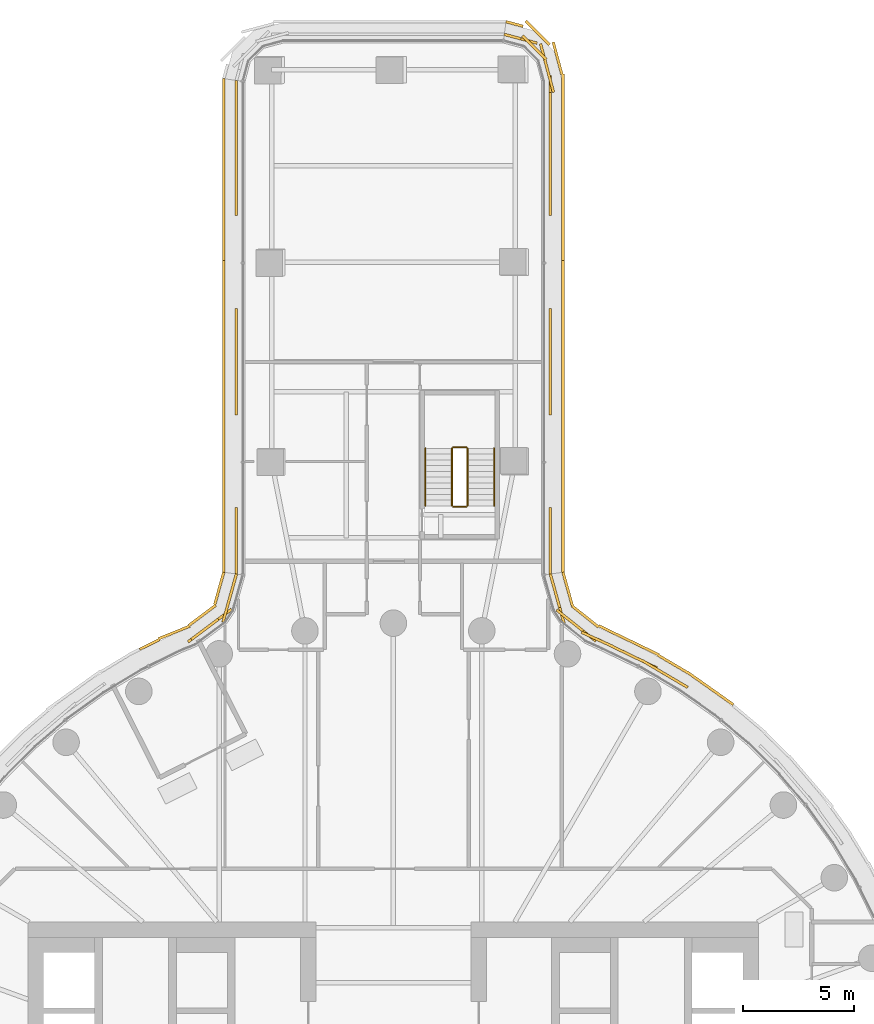
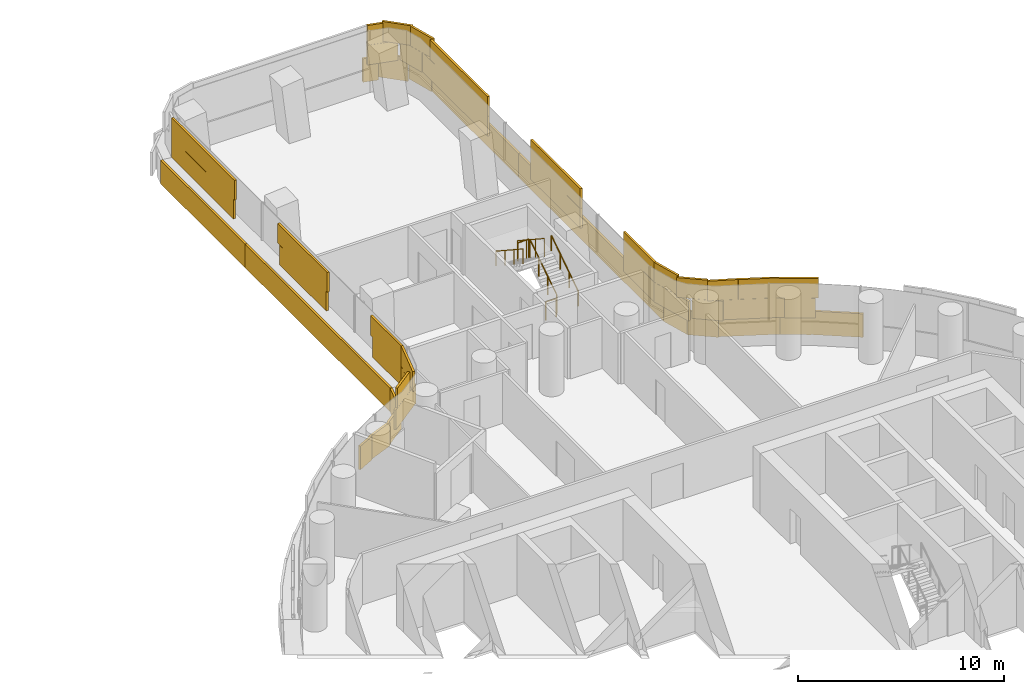
# One storey, part 30 of 32: 6 coverings, 6 railings.
"""IFC4 building model written with IfcOpenShell, lengths in metres."""

from ifc_helpers import new_model, si_unit, direction, frame, origin, origin_2d, place, context, subcontext, project, spatial, rectangle, circle, extrude, material, layer, layer_set, type_object, element, save


model = new_model("IFC4")

# Units and contexts
model_context = context("Model", 3, precision=1e-05, world=origin(), true_north=direction((0.0, 1.0)))
body_context = subcontext(model_context, "Body", "Model", "MODEL_VIEW")
ifc_project = project(units=[si_unit("LENGTHUNIT", "METRE"), si_unit("AREAUNIT", "SQUARE_METRE"), si_unit("VOLUMEUNIT", "CUBIC_METRE"), si_unit("PLANEANGLEUNIT", "RADIAN"), si_unit("MASSUNIT", "GRAM", prefix="KILO")], contexts=[model_context])

# Site, building, storey
site_placement = place(None, origin())
site = spatial("IfcSite", under=ifc_project, at=site_placement, CompositionType="ELEMENT")
building_placement = place(site_placement, origin())
building = spatial("IfcBuilding", under=site, at=building_placement, Name="Tamarind Cross Interchange Tower", CompositionType="ELEMENT")
storey_placement = place(building_placement, frame((0.0, 0.0, 34.0)))
storey = spatial("IfcBuildingStorey", under=building, at=storey_placement, Name="L06", CompositionType="ELEMENT", Elevation=34.0)

# Railings
ifc_material_1 = material(Name="Stair guard")
railing_type_1 = type_object("IfcRailingType", Name="Stair guard", PredefinedType="GUARDRAIL", material=ifc_material_1)
railing_1_placement = place(storey_placement, frame((3.35009765625, 28.300048828125, 0.17041015625)))
element("IfcRailing", 1, at=railing_1_placement, inside=storey, type_object=railing_type_1, Name="L06 ST4 stair guard 1", PredefinedType="GUARDRAIL", context=body_context, shape_type="SweptSolid", body=[
    extrude(circle(Radius=0.02392578125, at=origin_2d()), frame((0.0, 0.0, 1.076171875), z_axis=(0.0, 0.836278606002, 0.548304744775), x_axis=(-1.0, 0.0, 0.0)), (0.0, 0.0, 1.0), 3.10888671875),
    extrude(circle(Radius=0.02099609375, at=origin_2d()), origin(), (0.0, 0.0, 1.0), 1.052001953125),
    extrude(circle(Radius=0.02099609375, at=origin_2d()), frame((0.0, 0.86669921875, 0.568115234375)), (0.0, 0.0, 1.0), 1.052001953125),
    extrude(circle(Radius=0.02099609375, at=origin_2d()), frame((0.0, 1.733154296875, 1.136474609375)), (0.0, 0.0, 1.0), 1.052001953125),
    extrude(circle(Radius=0.02099609375, at=origin_2d()), frame((0.0, 2.599853515625, 1.70458984375)), (0.0, 0.0, 1.0), 1.052001953125),
])
railing_2_placement = place(storey_placement, frame((3.300048828125, 30.949951171875, 1.875)))
element("IfcRailing", 2, at=railing_2_placement, inside=storey, type_object=railing_type_1, Name="L06 ST4 stair guard 2", PredefinedType="GUARDRAIL", context=body_context, shape_type="SweptSolid", body=[
    extrude(circle(Radius=0.02392578125, at=origin_2d()), frame((0.0, 0.0, 1.076171875), z_axis=(-1.0, 0.0, 0.0), x_axis=(0.0, -1.0, 0.0)), (0.0, 0.0, 1.0), 0.60009765625),
    extrude(circle(Radius=0.02099609375, at=origin_2d()), origin(), (0.0, 0.0, 1.0), 1.052001953125),
    extrude(circle(Radius=0.02099609375, at=origin_2d()), frame((-0.60009765625, 0.0, 0.0)), (0.0, 0.0, 1.0), 1.052001953125),
])
railing_3_placement = place(storey_placement, frame((2.64990234375, 30.89990234375, 2.04541015625)))
element("IfcRailing", 3, at=railing_3_placement, inside=storey, type_object=railing_type_1, Name="L06 ST4 stair guard 3", PredefinedType="GUARDRAIL", context=body_context, shape_type="SweptSolid", body=[
    extrude(circle(Radius=0.02392578125, at=origin_2d()), frame((0.0, 0.0, 1.076171875), z_axis=(0.0, -0.836278606002, 0.548304744775), x_axis=(1.0, 0.0, 0.0)), (0.0, 0.0, 1.0), 3.10888671875),
    extrude(circle(Radius=0.02099609375, at=origin_2d()), origin(), (0.0, 0.0, 1.0), 1.052001953125),
    extrude(circle(Radius=0.02099609375, at=origin_2d()), frame((0.0, -0.86669921875, 0.568115234375)), (0.0, 0.0, 1.0), 1.052001953125),
    extrude(circle(Radius=0.02099609375, at=origin_2d()), frame((0.0, -1.733154296875, 1.136474609375)), (0.0, 0.0, 1.0), 1.052001953125),
    extrude(circle(Radius=0.02099609375, at=origin_2d()), frame((0.0, -2.599853515625, 1.70458984375)), (0.0, 0.0, 1.0), 1.052001953125),
])
railing_4_placement = place(storey_placement, frame((3.300048828125, 28.25, 0.0)))
element("IfcRailing", 4, at=railing_4_placement, inside=storey, type_object=railing_type_1, Name="L06 ST4 stair guard 4", PredefinedType="GUARDRAIL", context=body_context, shape_type="SweptSolid", body=[
    extrude(circle(Radius=0.02392578125, at=origin_2d()), frame((0.0, 0.0, 1.076171875), z_axis=(-1.0, 0.0, 0.0), x_axis=(0.0, -1.0, 0.0)), (0.0, 0.0, 1.0), 0.60009765625),
    extrude(circle(Radius=0.02099609375, at=origin_2d()), origin(), (0.0, 0.0, 1.0), 1.052001953125),
    extrude(circle(Radius=0.02099609375, at=origin_2d()), frame((-0.60009765625, 0.0, 0.0)), (0.0, 0.0, 1.0), 1.052001953125),
])
ifc_material_2 = material(Name="Stair handrail")
railing_type_2 = type_object("IfcRailingType", Name="Stair handrail", PredefinedType="HANDRAIL", material=ifc_material_2)
railing_5_placement = place(storey_placement, frame((4.550048828125, 28.300048828125, 0.17041015625)))
element("IfcRailing", 5, at=railing_5_placement, inside=storey, type_object=railing_type_2, Name="L06 ST4 stair handrail 1", PredefinedType="HANDRAIL", context=body_context, shape_type="SweptSolid", body=[
    extrude(circle(Radius=0.02392578125, at=origin_2d()), frame((0.0, 0.0, 0.8759765625), z_axis=(0.0, 0.836278606002, 0.548304744775), x_axis=(-1.0, 0.0, 0.0)), (0.0, 0.0, 1.0), 3.10888671875),
    extrude(circle(Radius=0.02099609375, at=origin_2d()), origin(), (0.0, 0.0, 1.0), 0.851806640625),
    extrude(circle(Radius=0.02099609375, at=origin_2d()), frame((0.0, 0.86669921875, 0.568115234375)), (0.0, 0.0, 1.0), 0.851806640625),
    extrude(circle(Radius=0.02099609375, at=origin_2d()), frame((0.0, 1.733154296875, 1.136474609375)), (0.0, 0.0, 1.0), 0.851806640625),
    extrude(circle(Radius=0.02099609375, at=origin_2d()), frame((0.0, 2.599853515625, 1.70458984375)), (0.0, 0.0, 1.0), 0.851806640625),
])
railing_6_placement = place(storey_placement, frame((1.449951171875, 30.89990234375, 2.04541015625)))
element("IfcRailing", 6, at=railing_6_placement, inside=storey, type_object=railing_type_2, Name="L06 ST4 stair handrail 2", PredefinedType="HANDRAIL", context=body_context, shape_type="SweptSolid", body=[
    extrude(circle(Radius=0.02392578125, at=origin_2d()), frame((0.0, 0.0, 0.8759765625), z_axis=(0.0, -0.836278606002, 0.548304744775), x_axis=(1.0, 0.0, 0.0)), (0.0, 0.0, 1.0), 3.10888671875),
    extrude(circle(Radius=0.02099609375, at=origin_2d()), origin(), (0.0, 0.0, 1.0), 0.851806640625),
    extrude(circle(Radius=0.02099609375, at=origin_2d()), frame((0.0, -0.86669921875, 0.568115234375)), (0.0, 0.0, 1.0), 0.851806640625),
    extrude(circle(Radius=0.02099609375, at=origin_2d()), frame((0.0, -1.733154296875, 1.136474609375)), (0.0, 0.0, 1.0), 0.851806640625),
    extrude(circle(Radius=0.02099609375, at=origin_2d()), frame((0.0, -2.599853515625, 1.70458984375)), (0.0, 0.0, 1.0), 0.851806640625),
])

# Coverings
ifc_material_3 = material(Name="Terracotta", Category="masonry")
ifc_layer = layer(ifc_material_3, 0.1201171875)
ifc_layer_set = layer_set([ifc_layer], Name="Terracotta")
covering_type = type_object("IfcCoveringType", Name="Terracotta baguette screen unit", PredefinedType="MOLDING", material=ifc_layer_set)
covering_1_placement = place(storey_placement, origin())
element("IfcCovering", 7, at=covering_1_placement, inside=storey, type_object=covering_type, Name="SCR-L06-11-01", PredefinedType="MOLDING", context=body_context, shape_type="SweptSolid", body=[
    extrude(rectangle(XDim=1.52001953125, YDim=0.1201171875, at=origin_2d()), frame((12.519775390625, 20.55517578125, 1.404052734375), z_axis=(0.0, 0.0, 1.0), x_axis=(-0.861248933065, 0.508183308752, 0.0)), (0.0, 0.0, 1.0), 1.1669921875),
    extrude(rectangle(XDim=1.52001953125, YDim=0.1201171875, at=origin_2d()), frame((11.221435546875, 21.30517578125, 1.404052734375), z_axis=(0.0, 0.0, 1.0), x_axis=(-0.900272776334, 0.435326231914, 0.0)), (0.0, 0.0, 1.0), 1.1669921875),
    extrude(rectangle(XDim=1.52001953125, YDim=0.1201171875, at=origin_2d()), frame((9.87109375, 21.958251953125, 1.404052734375), z_axis=(0.0, 0.0, 1.0), x_axis=(-0.900272776334, 0.435326231914, 0.0)), (0.0, 0.0, 1.0), 1.1669921875),
    extrude(rectangle(XDim=1.52001953125, YDim=0.1201171875, at=origin_2d()), frame((8.5546875, 22.660888671875, 1.404052734375), z_axis=(0.0, 0.0, 1.0), x_axis=(-0.782751095823, 0.622334895364, 0.0)), (0.0, 0.0, 1.0), 1.1669921875),
    extrude(rectangle(XDim=1.52001953125, YDim=0.1201171875, at=origin_2d()), frame((7.510986328125, 23.712890625, 1.404052734375), z_axis=(0.0, 0.0, 1.0), x_axis=(-0.268868386706, 0.963176925923, 0.0)), (0.0, 0.0, 1.0), 1.1669921875),
    extrude(rectangle(XDim=0.825927734375, YDim=0.1201171875, at=origin_2d()), frame((7.19970703125, 24.828125, 1.404052734375), z_axis=(0.0, 0.0, 1.0), x_axis=(-0.268868386706, 0.963176925923, 0.0)), (0.0, 0.0, 1.0), 1.1669921875),
    extrude(rectangle(XDim=0.906494140625, YDim=0.1201171875, at=origin_2d()), frame((12.906005859375, 20.327392578125, 2.5791015625), z_axis=(0.0, 0.0, 1.0), x_axis=(-0.861248933065, 0.508183308752, 0.0)), (0.0, 0.0, 1.0), 1.1669921875),
    extrude(rectangle(XDim=1.52001953125, YDim=0.1201171875, at=origin_2d()), frame((11.8740234375, 20.936279296875, 2.5791015625), z_axis=(0.0, 0.0, 1.0), x_axis=(-0.861248933065, 0.508183308752, 0.0)), (0.0, 0.0, 1.0), 1.1669921875),
    extrude(rectangle(XDim=1.52001953125, YDim=0.1201171875, at=origin_2d()), frame((10.546142578125, 21.631591796875, 2.5791015625), z_axis=(0.0, 0.0, 1.0), x_axis=(-0.900272776334, 0.435326231914, 0.0)), (0.0, 0.0, 1.0), 1.1669921875),
    extrude(rectangle(XDim=1.52001953125, YDim=0.1201171875, at=origin_2d()), frame((9.19140625, 22.275146484375, 2.5791015625), z_axis=(0.0, 0.0, 1.0), x_axis=(-0.910748805886, 0.412960788184, 0.0)), (0.0, 0.0, 1.0), 1.1669921875),
    extrude(rectangle(XDim=1.52001953125, YDim=0.1201171875, at=origin_2d()), frame((7.9677734375, 23.127685546875, 2.5791015625), z_axis=(0.0, 0.0, 1.0), x_axis=(-0.782751095823, 0.622334895364, 0.0)), (0.0, 0.0, 1.0), 1.1669921875),
    extrude(rectangle(XDim=1.52001953125, YDim=0.1201171875, at=origin_2d()), frame((7.309326171875, 24.435302734375, 2.5791015625), z_axis=(0.0, 0.0, 1.0), x_axis=(-0.268868386706, 0.963176925923, 0.0)), (0.0, 0.0, 1.0), 1.1669921875),
    extrude(rectangle(XDim=0.075927734375, YDim=0.1201171875, at=origin_2d()), frame((7.098876953125, 25.189453125, 2.5791015625), z_axis=(0.0, 0.0, 1.0), x_axis=(-0.268868386706, 0.963176925923, 0.0)), (0.0, 0.0, 1.0), 1.1669921875),
    extrude(rectangle(XDim=1.059814453125, YDim=0.1201171875, at=origin_2d()), frame((14.920654296875, 19.626220703125, 0.00390625), z_axis=(0.0, 0.0, 1.0), x_axis=(-0.816341886298, 0.577568978284, 0.0)), (0.0, 0.0, 1.0), 1.39208984375),
    extrude(rectangle(XDim=1.52001953125, YDim=0.1201171875, at=origin_2d()), frame((13.884033203125, 20.359619140625, 0.00390625), z_axis=(0.0, 0.0, 1.0), x_axis=(-0.816341886298, 0.577568978284, 0.0)), (0.0, 0.0, 1.0), 1.39208984375),
    extrude(rectangle(XDim=1.52001953125, YDim=0.1201171875, at=origin_2d()), frame((12.618896484375, 21.1630859375, 0.00390625), z_axis=(0.0, 0.0, 1.0), x_axis=(-0.861248933065, 0.508183308752, 0.0)), (0.0, 0.0, 1.0), 1.39208984375),
    extrude(rectangle(XDim=1.52001953125, YDim=0.1201171875, at=origin_2d()), frame((11.312744140625, 21.898681640625, 0.00390625), z_axis=(0.0, 0.0, 1.0), x_axis=(-0.900272776334, 0.435326231914, 0.0)), (0.0, 0.0, 1.0), 1.39208984375),
    extrude(rectangle(XDim=1.52001953125, YDim=0.1201171875, at=origin_2d()), frame((9.962158203125, 22.551513671875, 0.00390625), z_axis=(0.0, 0.0, 1.0), x_axis=(-0.900272776334, 0.435326231914, 0.0)), (0.0, 0.0, 1.0), 1.39208984375),
    extrude(rectangle(XDim=1.52001953125, YDim=0.1201171875, at=origin_2d()), frame((8.674072265625, 23.29931640625, 0.00390625), z_axis=(0.0, 0.0, 1.0), x_axis=(-0.782751095823, 0.622334895364, 0.0)), (0.0, 0.0, 1.0), 1.39208984375),
    extrude(rectangle(XDim=1.52001953125, YDim=0.1201171875, at=origin_2d()), frame((7.884521484375, 24.50927734375, 0.00390625), z_axis=(0.0, 0.0, 1.0), x_axis=(-0.268868386706, 0.963176925923, 0.0)), (0.0, 0.0, 1.0), 1.39208984375),
    extrude(rectangle(XDim=0.08056640625, YDim=0.1201171875, at=origin_2d()), frame((7.6748046875, 25.260986328125, 0.00390625), z_axis=(0.0, 0.0, 1.0), x_axis=(-0.268868386706, 0.963176925923, 0.0)), (0.0, 0.0, 1.0), 1.39208984375),
])
covering_2_placement = place(storey_placement, origin())
element("IfcCovering", 8, at=covering_2_placement, inside=storey, type_object=covering_type, Name="SCR-L06-12-00", PredefinedType="MOLDING", context=body_context, shape_type="SweptSolid", body=[
    extrude(rectangle(XDim=1.510009765625, YDim=0.1201171875, at=origin_2d()), frame((7.090087890625, 25.97119140625, 1.404052734375), z_axis=(0.0, 0.0, 1.0), x_axis=(0.0, 1.0, 0.0)), (0.0, 0.0, 1.0), 1.1669921875),
    extrude(rectangle(XDim=1.5009765625, YDim=0.1201171875, at=origin_2d()), frame((7.090087890625, 27.466552734375, 1.404052734375), z_axis=(0.0, 0.0, 1.0), x_axis=(0.0, 1.0, 0.0)), (0.0, 0.0, 1.0), 1.1669921875),
    extrude(rectangle(XDim=0.31884765625, YDim=0.1201171875, at=origin_2d()), frame((7.090087890625, 32.566650390625, 1.404052734375), z_axis=(0.0, 0.0, 1.0), x_axis=(0.0, 1.0, 0.0)), (0.0, 0.0, 1.0), 1.1669921875),
    extrude(rectangle(XDim=1.52001953125, YDim=0.1201171875, at=origin_2d()), frame((7.090087890625, 33.47119140625, 1.404052734375), z_axis=(0.0, 0.0, 1.0), x_axis=(0.0, 1.0, 0.0)), (0.0, 0.0, 1.0), 1.1669921875),
    extrude(rectangle(XDim=1.52001953125, YDim=0.1201171875, at=origin_2d()), frame((7.090087890625, 34.97119140625, 1.404052734375), z_axis=(0.0, 0.0, 1.0), x_axis=(0.0, 1.0, 0.0)), (0.0, 0.0, 1.0), 1.1669921875),
    extrude(rectangle(XDim=1.5009765625, YDim=0.1201171875, at=origin_2d()), frame((7.090087890625, 36.466552734375, 1.404052734375), z_axis=(0.0, 0.0, 1.0), x_axis=(0.0, 1.0, 0.0)), (0.0, 0.0, 1.0), 1.1669921875),
    extrude(rectangle(XDim=0.760009765625, YDim=0.1201171875, at=origin_2d()), frame((7.090087890625, 25.59619140625, 2.5791015625), z_axis=(0.0, 0.0, 1.0), x_axis=(0.0, 1.0, 0.0)), (0.0, 0.0, 1.0), 1.1669921875),
    extrude(rectangle(XDim=1.52001953125, YDim=0.1201171875, at=origin_2d()), frame((7.090087890625, 26.72119140625, 2.5791015625), z_axis=(0.0, 0.0, 1.0), x_axis=(0.0, 1.0, 0.0)), (0.0, 0.0, 1.0), 1.1669921875),
    extrude(rectangle(XDim=0.7509765625, YDim=0.1201171875, at=origin_2d()), frame((7.090087890625, 27.841552734375, 2.5791015625), z_axis=(0.0, 0.0, 1.0), x_axis=(0.0, 1.0, 0.0)), (0.0, 0.0, 1.0), 1.1669921875),
    extrude(rectangle(XDim=1.06884765625, YDim=0.1201171875, at=origin_2d()), frame((7.090087890625, 32.941650390625, 2.5791015625), z_axis=(0.0, 0.0, 1.0), x_axis=(0.0, 1.0, 0.0)), (0.0, 0.0, 1.0), 1.1669921875),
    extrude(rectangle(XDim=1.52001953125, YDim=0.1201171875, at=origin_2d()), frame((7.090087890625, 34.22119140625, 2.5791015625), z_axis=(0.0, 0.0, 1.0), x_axis=(0.0, 1.0, 0.0)), (0.0, 0.0, 1.0), 1.1669921875),
    extrude(rectangle(XDim=1.52001953125, YDim=0.1201171875, at=origin_2d()), frame((7.090087890625, 35.72119140625, 2.5791015625), z_axis=(0.0, 0.0, 1.0), x_axis=(0.0, 1.0, 0.0)), (0.0, 0.0, 1.0), 1.1669921875),
    extrude(rectangle(XDim=0.7509765625, YDim=0.1201171875, at=origin_2d()), frame((7.090087890625, 36.841552734375, 2.5791015625), z_axis=(0.0, 0.0, 1.0), x_axis=(0.0, 1.0, 0.0)), (0.0, 0.0, 1.0), 1.1669921875),
    extrude(rectangle(XDim=1.510009765625, YDim=0.1201171875, at=origin_2d()), frame((7.6640625, 26.0546875, 0.00390625), z_axis=(0.0, 0.0, 1.0), x_axis=(0.0, 1.0, 0.0)), (0.0, 0.0, 1.0), 1.39208984375),
    extrude(rectangle(XDim=1.52001953125, YDim=0.1201171875, at=origin_2d()), frame((7.6640625, 27.5498046875, 0.00390625), z_axis=(0.0, 0.0, 1.0), x_axis=(0.0, 1.0, 0.0)), (0.0, 0.0, 1.0), 1.39208984375),
    extrude(rectangle(XDim=1.52001953125, YDim=0.1201171875, at=origin_2d()), frame((7.6640625, 29.0498046875, 0.00390625), z_axis=(0.0, 0.0, 1.0), x_axis=(0.0, 1.0, 0.0)), (0.0, 0.0, 1.0), 1.39208984375),
    extrude(rectangle(XDim=1.52001953125, YDim=0.1201171875, at=origin_2d()), frame((7.6640625, 30.5498046875, 0.00390625), z_axis=(0.0, 0.0, 1.0), x_axis=(0.0, 1.0, 0.0)), (0.0, 0.0, 1.0), 1.39208984375),
    extrude(rectangle(XDim=1.52001953125, YDim=0.1201171875, at=origin_2d()), frame((7.6640625, 32.0498046875, 0.00390625), z_axis=(0.0, 0.0, 1.0), x_axis=(0.0, 1.0, 0.0)), (0.0, 0.0, 1.0), 1.39208984375),
    extrude(rectangle(XDim=1.52001953125, YDim=0.1201171875, at=origin_2d()), frame((7.6640625, 33.5498046875, 0.00390625), z_axis=(0.0, 0.0, 1.0), x_axis=(0.0, 1.0, 0.0)), (0.0, 0.0, 1.0), 1.39208984375),
    extrude(rectangle(XDim=1.52001953125, YDim=0.1201171875, at=origin_2d()), frame((7.6640625, 35.0498046875, 0.00390625), z_axis=(0.0, 0.0, 1.0), x_axis=(0.0, 1.0, 0.0)), (0.0, 0.0, 1.0), 1.39208984375),
    extrude(rectangle(XDim=1.52001953125, YDim=0.1201171875, at=origin_2d()), frame((7.6640625, 36.5498046875, 0.00390625), z_axis=(0.0, 0.0, 1.0), x_axis=(0.0, 1.0, 0.0)), (0.0, 0.0, 1.0), 1.39208984375),
    extrude(rectangle(XDim=1.52001953125, YDim=0.1201171875, at=origin_2d()), frame((7.6640625, 38.0498046875, 0.00390625), z_axis=(0.0, 0.0, 1.0), x_axis=(0.0, 1.0, 0.0)), (0.0, 0.0, 1.0), 1.39208984375),
    extrude(rectangle(XDim=0.598876953125, YDim=0.1201171875, at=origin_2d()), frame((7.6640625, 39.089111328125, 0.00390625), z_axis=(0.0, 0.0, 1.0), x_axis=(0.0, 1.0, 0.0)), (0.0, 0.0, 1.0), 1.39208984375),
])
covering_3_placement = place(storey_placement, origin())
element("IfcCovering", 9, at=covering_3_placement, inside=storey, type_object=covering_type, Name="SCR-L06-12-01", PredefinedType="MOLDING", context=body_context, shape_type="SweptSolid", body=[
    extrude(rectangle(XDim=0.319091796875, YDim=0.1201171875, at=origin_2d()), frame((7.090087890625, 41.566650390625, 1.404052734375), z_axis=(0.0, 0.0, 1.0), x_axis=(0.0, 1.0, 0.0)), (0.0, 0.0, 1.0), 1.1669921875),
    extrude(rectangle(XDim=1.52001953125, YDim=0.1201171875, at=origin_2d()), frame((7.090087890625, 42.47119140625, 1.404052734375), z_axis=(0.0, 0.0, 1.0), x_axis=(0.0, 1.0, 0.0)), (0.0, 0.0, 1.0), 1.1669921875),
    extrude(rectangle(XDim=1.52001953125, YDim=0.1201171875, at=origin_2d()), frame((7.090087890625, 43.97119140625, 1.404052734375), z_axis=(0.0, 0.0, 1.0), x_axis=(0.0, 1.0, 0.0)), (0.0, 0.0, 1.0), 1.1669921875),
    extrude(rectangle(XDim=1.52001953125, YDim=0.1201171875, at=origin_2d()), frame((7.090087890625, 45.47119140625, 1.404052734375), z_axis=(0.0, 0.0, 1.0), x_axis=(0.0, 1.0, 0.0)), (0.0, 0.0, 1.0), 1.1669921875),
    extrude(rectangle(XDim=1.52001953125, YDim=0.1201171875, at=origin_2d()), frame((7.090087890625, 46.97119140625, 1.404052734375), z_axis=(0.0, 0.0, 1.0), x_axis=(0.0, 1.0, 0.0)), (0.0, 0.0, 1.0), 1.1669921875),
    extrude(rectangle(XDim=1.52001953125, YDim=0.1201171875, at=origin_2d()), frame((6.84375, 48.438720703125, 1.404052734375), z_axis=(0.0, 0.0, 1.0), x_axis=(-0.258819045103, 0.965925826289, 0.0)), (0.0, 0.0, 1.0), 1.1669921875),
    extrude(rectangle(XDim=1.52001953125, YDim=0.1201171875, at=origin_2d()), frame((5.759765625, 49.397216796875, 1.404052734375), z_axis=(0.0, 0.0, 1.0), x_axis=(-0.965925826289, 0.258819045103, 0.0)), (0.0, 0.0, 1.0), 1.1669921875),
    extrude(rectangle(XDim=0.034423828125, YDim=0.1201171875, at=origin_2d()), frame((5.023681640625, 49.594482421875, 1.404052734375), z_axis=(0.0, 0.0, 1.0), x_axis=(-0.965925826289, 0.258819045103, 0.0)), (0.0, 0.0, 1.0), 1.1669921875),
    extrude(rectangle(XDim=1.069091796875, YDim=0.1201171875, at=origin_2d()), frame((7.090087890625, 41.941650390625, 2.5791015625), z_axis=(0.0, 0.0, 1.0), x_axis=(0.0, 1.0, 0.0)), (0.0, 0.0, 1.0), 1.1669921875),
    extrude(rectangle(XDim=1.52001953125, YDim=0.1201171875, at=origin_2d()), frame((7.090087890625, 43.22119140625, 2.5791015625), z_axis=(0.0, 0.0, 1.0), x_axis=(0.0, 1.0, 0.0)), (0.0, 0.0, 1.0), 1.1669921875),
    extrude(rectangle(XDim=1.52001953125, YDim=0.1201171875, at=origin_2d()), frame((7.090087890625, 44.72119140625, 2.5791015625), z_axis=(0.0, 0.0, 1.0), x_axis=(0.0, 1.0, 0.0)), (0.0, 0.0, 1.0), 1.1669921875),
    extrude(rectangle(XDim=1.52001953125, YDim=0.1201171875, at=origin_2d()), frame((7.090087890625, 46.22119140625, 2.5791015625), z_axis=(0.0, 0.0, 1.0), x_axis=(0.0, 1.0, 0.0)), (0.0, 0.0, 1.0), 1.1669921875),
    extrude(rectangle(XDim=1.52001953125, YDim=0.1201171875, at=origin_2d()), frame((7.037841796875, 47.71435546875, 2.5791015625), z_axis=(0.0, 0.0, 1.0), x_axis=(-0.258819045103, 0.965925826289, 0.0)), (0.0, 0.0, 1.0), 1.1669921875),
    extrude(rectangle(XDim=1.52001953125, YDim=0.1201171875, at=origin_2d()), frame((6.366943359375, 49.0, 2.5791015625), z_axis=(0.0, 0.0, 1.0), x_axis=(-0.707106781187, 0.707106781187, 0.0)), (0.0, 0.0, 1.0), 1.1669921875),
    extrude(rectangle(XDim=0.784423828125, YDim=0.1201171875, at=origin_2d()), frame((5.3857421875, 49.497314453125, 2.5791015625), z_axis=(0.0, 0.0, 1.0), x_axis=(-0.965925826289, 0.258819045103, 0.0)), (0.0, 0.0, 1.0), 1.1669921875),
    extrude(rectangle(XDim=0.921142578125, YDim=0.1201171875, at=origin_2d()), frame((7.6640625, 39.84912109375, 0.00390625), z_axis=(0.0, 0.0, 1.0), x_axis=(0.0, 1.0, 0.0)), (0.0, 0.0, 1.0), 1.39208984375),
    extrude(rectangle(XDim=1.52001953125, YDim=0.1201171875, at=origin_2d()), frame((7.6640625, 41.0498046875, 0.00390625), z_axis=(0.0, 0.0, 1.0), x_axis=(0.0, 1.0, 0.0)), (0.0, 0.0, 1.0), 1.39208984375),
    extrude(rectangle(XDim=1.52001953125, YDim=0.1201171875, at=origin_2d()), frame((7.6640625, 42.5498046875, 0.00390625), z_axis=(0.0, 0.0, 1.0), x_axis=(0.0, 1.0, 0.0)), (0.0, 0.0, 1.0), 1.39208984375),
    extrude(rectangle(XDim=1.52001953125, YDim=0.1201171875, at=origin_2d()), frame((7.6640625, 44.0498046875, 0.00390625), z_axis=(0.0, 0.0, 1.0), x_axis=(0.0, 1.0, 0.0)), (0.0, 0.0, 1.0), 1.39208984375),
    extrude(rectangle(XDim=1.52001953125, YDim=0.1201171875, at=origin_2d()), frame((7.6640625, 45.5498046875, 0.00390625), z_axis=(0.0, 0.0, 1.0), x_axis=(0.0, 1.0, 0.0)), (0.0, 0.0, 1.0), 1.39208984375),
    extrude(rectangle(XDim=1.52001953125, YDim=0.1201171875, at=origin_2d()), frame((7.6640625, 47.0498046875, 0.00390625), z_axis=(0.0, 0.0, 1.0), x_axis=(0.0, 1.0, 0.0)), (0.0, 0.0, 1.0), 1.39208984375),
    extrude(rectangle(XDim=1.52001953125, YDim=0.1201171875, at=origin_2d()), frame((7.4169921875, 48.51708984375, 0.00390625), z_axis=(0.0, 0.0, 1.0), x_axis=(-0.258819045103, 0.965925826289, 0.0)), (0.0, 0.0, 1.0), 1.39208984375),
    extrude(rectangle(XDim=1.52001953125, YDim=0.1201171875, at=origin_2d()), frame((6.51123046875, 49.66748046875, 0.00390625), z_axis=(0.0, 0.0, 1.0), x_axis=(-0.707106781187, 0.707106781187, 0.0)), (0.0, 0.0, 1.0), 1.39208984375),
    extrude(rectangle(XDim=0.797607421875, YDim=0.1201171875, at=origin_2d()), frame((5.47265625, 50.068359375, 0.00390625), z_axis=(0.0, 0.0, 1.0), x_axis=(-0.965925826289, 0.258819045103, 0.0)), (0.0, 0.0, 1.0), 1.39208984375),
])
covering_4_placement = place(storey_placement, origin())
element("IfcCovering", 10, at=covering_4_placement, inside=storey, type_object=covering_type, Name="SCR-L06-14-00", PredefinedType="MOLDING", context=body_context, shape_type="SweptSolid", body=[
    extrude(rectangle(XDim=1.510009765625, YDim=0.1201171875, at=origin_2d()), frame((-7.090087890625, 46.76953125, 1.404052734375), z_axis=(0.0, 0.0, 1.0), x_axis=(0.0, -1.0, 0.0)), (0.0, 0.0, 1.0), 1.1669921875),
    extrude(rectangle(XDim=1.52001953125, YDim=0.1201171875, at=origin_2d()), frame((-7.090087890625, 45.26953125, 1.404052734375), z_axis=(0.0, 0.0, 1.0), x_axis=(0.0, -1.0, 0.0)), (0.0, 0.0, 1.0), 1.1669921875),
    extrude(rectangle(XDim=1.52001953125, YDim=0.1201171875, at=origin_2d()), frame((-7.090087890625, 43.76953125, 1.404052734375), z_axis=(0.0, 0.0, 1.0), x_axis=(0.0, -1.0, 0.0)), (0.0, 0.0, 1.0), 1.1669921875),
    extrude(rectangle(XDim=1.52001953125, YDim=0.1201171875, at=origin_2d()), frame((-7.090087890625, 42.26953125, 1.404052734375), z_axis=(0.0, 0.0, 1.0), x_axis=(0.0, -1.0, 0.0)), (0.0, 0.0, 1.0), 1.1669921875),
    extrude(rectangle(XDim=0.760009765625, YDim=0.1201171875, at=origin_2d()), frame((-7.090087890625, 47.14453125, 2.5791015625), z_axis=(0.0, 0.0, 1.0), x_axis=(0.0, -1.0, 0.0)), (0.0, 0.0, 1.0), 1.1669921875),
    extrude(rectangle(XDim=1.52001953125, YDim=0.1201171875, at=origin_2d()), frame((-7.090087890625, 46.01953125, 2.5791015625), z_axis=(0.0, 0.0, 1.0), x_axis=(0.0, -1.0, 0.0)), (0.0, 0.0, 1.0), 1.1669921875),
    extrude(rectangle(XDim=1.52001953125, YDim=0.1201171875, at=origin_2d()), frame((-7.090087890625, 44.51953125, 2.5791015625), z_axis=(0.0, 0.0, 1.0), x_axis=(0.0, -1.0, 0.0)), (0.0, 0.0, 1.0), 1.1669921875),
    extrude(rectangle(XDim=1.52001953125, YDim=0.1201171875, at=origin_2d()), frame((-7.090087890625, 43.01953125, 2.5791015625), z_axis=(0.0, 0.0, 1.0), x_axis=(0.0, -1.0, 0.0)), (0.0, 0.0, 1.0), 1.1669921875),
    extrude(rectangle(XDim=0.867431640625, YDim=0.1201171875, at=origin_2d()), frame((-7.090087890625, 41.8408203125, 2.5791015625), z_axis=(0.0, 0.0, 1.0), x_axis=(0.0, -1.0, 0.0)), (0.0, 0.0, 1.0), 1.1669921875),
    extrude(rectangle(XDim=1.510009765625, YDim=0.1201171875, at=origin_2d()), frame((-7.6640625, 46.840087890625, 0.00390625), z_axis=(0.0, 0.0, 1.0), x_axis=(0.0, -1.0, 0.0)), (0.0, 0.0, 1.0), 1.39208984375),
    extrude(rectangle(XDim=1.52001953125, YDim=0.1201171875, at=origin_2d()), frame((-7.6640625, 45.344970703125, 0.00390625), z_axis=(0.0, 0.0, 1.0), x_axis=(0.0, -1.0, 0.0)), (0.0, 0.0, 1.0), 1.39208984375),
    extrude(rectangle(XDim=1.52001953125, YDim=0.1201171875, at=origin_2d()), frame((-7.6640625, 43.844970703125, 0.00390625), z_axis=(0.0, 0.0, 1.0), x_axis=(0.0, -1.0, 0.0)), (0.0, 0.0, 1.0), 1.39208984375),
    extrude(rectangle(XDim=1.52001953125, YDim=0.1201171875, at=origin_2d()), frame((-7.6640625, 42.344970703125, 0.00390625), z_axis=(0.0, 0.0, 1.0), x_axis=(0.0, -1.0, 0.0)), (0.0, 0.0, 1.0), 1.39208984375),
    extrude(rectangle(XDim=1.52001953125, YDim=0.1201171875, at=origin_2d()), frame((-7.6640625, 40.844970703125, 0.00390625), z_axis=(0.0, 0.0, 1.0), x_axis=(0.0, -1.0, 0.0)), (0.0, 0.0, 1.0), 1.39208984375),
    extrude(rectangle(XDim=0.71630859375, YDim=0.1201171875, at=origin_2d()), frame((-7.6640625, 39.746826171875, 0.00390625), z_axis=(0.0, 0.0, 1.0), x_axis=(0.0, -1.0, 0.0)), (0.0, 0.0, 1.0), 1.39208984375),
])
covering_5_placement = place(storey_placement, origin())
element("IfcCovering", 11, at=covering_5_placement, inside=storey, type_object=covering_type, Name="SCR-L06-14-01", PredefinedType="MOLDING", context=body_context, shape_type="SweptSolid", body=[
    extrude(rectangle(XDim=1.52001953125, YDim=0.1201171875, at=origin_2d()), frame((-7.090087890625, 36.26953125, 1.404052734375), z_axis=(0.0, 0.0, 1.0), x_axis=(0.0, -1.0, 0.0)), (0.0, 0.0, 1.0), 1.1669921875),
    extrude(rectangle(XDim=1.52001953125, YDim=0.1201171875, at=origin_2d()), frame((-7.090087890625, 34.76953125, 1.404052734375), z_axis=(0.0, 0.0, 1.0), x_axis=(0.0, -1.0, 0.0)), (0.0, 0.0, 1.0), 1.1669921875),
    extrude(rectangle(XDim=1.52001953125, YDim=0.1201171875, at=origin_2d()), frame((-7.090087890625, 33.26953125, 1.404052734375), z_axis=(0.0, 0.0, 1.0), x_axis=(0.0, -1.0, 0.0)), (0.0, 0.0, 1.0), 1.1669921875),
    extrude(rectangle(XDim=1.52001953125, YDim=0.1201171875, at=origin_2d()), frame((-7.090087890625, 27.26953125, 1.404052734375), z_axis=(0.0, 0.0, 1.0), x_axis=(0.0, -1.0, 0.0)), (0.0, 0.0, 1.0), 1.1669921875),
    extrude(rectangle(XDim=1.308349609375, YDim=0.1201171875, at=origin_2d()), frame((-7.090087890625, 25.870361328125, 1.404052734375), z_axis=(0.0, 0.0, 1.0), x_axis=(0.0, -1.0, 0.0)), (0.0, 0.0, 1.0), 1.1669921875),
    extrude(rectangle(XDim=0.95263671875, YDim=0.1201171875, at=origin_2d()), frame((-7.090087890625, 36.74072265625, 2.5791015625), z_axis=(0.0, 0.0, 1.0), x_axis=(0.0, -1.0, 0.0)), (0.0, 0.0, 1.0), 1.1669921875),
    extrude(rectangle(XDim=1.52001953125, YDim=0.1201171875, at=origin_2d()), frame((-7.090087890625, 35.51953125, 2.5791015625), z_axis=(0.0, 0.0, 1.0), x_axis=(0.0, -1.0, 0.0)), (0.0, 0.0, 1.0), 1.1669921875),
    extrude(rectangle(XDim=1.52001953125, YDim=0.1201171875, at=origin_2d()), frame((-7.090087890625, 34.01953125, 2.5791015625), z_axis=(0.0, 0.0, 1.0), x_axis=(0.0, -1.0, 0.0)), (0.0, 0.0, 1.0), 1.1669921875),
    extrude(rectangle(XDim=0.8671875, YDim=0.1201171875, at=origin_2d()), frame((-7.090087890625, 32.8408203125, 2.5791015625), z_axis=(0.0, 0.0, 1.0), x_axis=(0.0, -1.0, 0.0)), (0.0, 0.0, 1.0), 1.1669921875),
    extrude(rectangle(XDim=0.952880859375, YDim=0.1201171875, at=origin_2d()), frame((-7.090087890625, 27.74072265625, 2.5791015625), z_axis=(0.0, 0.0, 1.0), x_axis=(0.0, -1.0, 0.0)), (0.0, 0.0, 1.0), 1.1669921875),
    extrude(rectangle(XDim=1.52001953125, YDim=0.1201171875, at=origin_2d()), frame((-7.090087890625, 26.51953125, 2.5791015625), z_axis=(0.0, 0.0, 1.0), x_axis=(0.0, -1.0, 0.0)), (0.0, 0.0, 1.0), 1.1669921875),
    extrude(rectangle(XDim=0.558349609375, YDim=0.1201171875, at=origin_2d()), frame((-7.090087890625, 25.495361328125, 2.5791015625), z_axis=(0.0, 0.0, 1.0), x_axis=(0.0, -1.0, 0.0)), (0.0, 0.0, 1.0), 1.1669921875),
    extrude(rectangle(XDim=0.8037109375, YDim=0.1201171875, at=origin_2d()), frame((-7.6640625, 38.98681640625, 0.00390625), z_axis=(0.0, 0.0, 1.0), x_axis=(0.0, -1.0, 0.0)), (0.0, 0.0, 1.0), 1.39208984375),
    extrude(rectangle(XDim=1.52001953125, YDim=0.1201171875, at=origin_2d()), frame((-7.6640625, 37.844970703125, 0.00390625), z_axis=(0.0, 0.0, 1.0), x_axis=(0.0, -1.0, 0.0)), (0.0, 0.0, 1.0), 1.39208984375),
    extrude(rectangle(XDim=1.52001953125, YDim=0.1201171875, at=origin_2d()), frame((-7.6640625, 36.344970703125, 0.00390625), z_axis=(0.0, 0.0, 1.0), x_axis=(0.0, -1.0, 0.0)), (0.0, 0.0, 1.0), 1.39208984375),
    extrude(rectangle(XDim=1.52001953125, YDim=0.1201171875, at=origin_2d()), frame((-7.6640625, 34.844970703125, 0.00390625), z_axis=(0.0, 0.0, 1.0), x_axis=(0.0, -1.0, 0.0)), (0.0, 0.0, 1.0), 1.39208984375),
    extrude(rectangle(XDim=1.52001953125, YDim=0.1201171875, at=origin_2d()), frame((-7.6640625, 33.344970703125, 0.00390625), z_axis=(0.0, 0.0, 1.0), x_axis=(0.0, -1.0, 0.0)), (0.0, 0.0, 1.0), 1.39208984375),
    extrude(rectangle(XDim=1.52001953125, YDim=0.1201171875, at=origin_2d()), frame((-7.6640625, 31.844970703125, 0.00390625), z_axis=(0.0, 0.0, 1.0), x_axis=(0.0, -1.0, 0.0)), (0.0, 0.0, 1.0), 1.39208984375),
    extrude(rectangle(XDim=1.52001953125, YDim=0.1201171875, at=origin_2d()), frame((-7.6640625, 30.344970703125, 0.00390625), z_axis=(0.0, 0.0, 1.0), x_axis=(0.0, -1.0, 0.0)), (0.0, 0.0, 1.0), 1.39208984375),
    extrude(rectangle(XDim=1.52001953125, YDim=0.1201171875, at=origin_2d()), frame((-7.6640625, 28.844970703125, 0.00390625), z_axis=(0.0, 0.0, 1.0), x_axis=(0.0, -1.0, 0.0)), (0.0, 0.0, 1.0), 1.39208984375),
    extrude(rectangle(XDim=1.52001953125, YDim=0.1201171875, at=origin_2d()), frame((-7.6640625, 27.344970703125, 0.00390625), z_axis=(0.0, 0.0, 1.0), x_axis=(0.0, -1.0, 0.0)), (0.0, 0.0, 1.0), 1.39208984375),
    extrude(rectangle(XDim=1.30517578125, YDim=0.1201171875, at=origin_2d()), frame((-7.6640625, 25.952392578125, 0.00390625), z_axis=(0.0, 0.0, 1.0), x_axis=(0.0, -1.0, 0.0)), (0.0, 0.0, 1.0), 1.39208984375),
])
covering_6_placement = place(storey_placement, origin())
element("IfcCovering", 12, at=covering_6_placement, inside=storey, type_object=covering_type, Name="SCR-L06-15-00", PredefinedType="MOLDING", context=body_context, shape_type="SweptSolid", body=[
    extrude(rectangle(XDim=1.510009765625, YDim=0.1201171875, at=origin_2d()), frame((-7.291748046875, 24.498779296875, 1.404052734375), z_axis=(0.0, 0.0, 1.0), x_axis=(-0.268868386706, -0.963176925923, 0.0)), (0.0, 0.0, 1.0), 1.1669921875),
    extrude(rectangle(XDim=1.52001953125, YDim=0.1201171875, at=origin_2d()), frame((-7.91845703125, 23.17138671875, 1.404052734375), z_axis=(0.0, 0.0, 1.0), x_axis=(-0.799551238803, -0.600597882554, 0.0)), (0.0, 0.0, 1.0), 1.1669921875),
    extrude(rectangle(XDim=0.95068359375, YDim=0.1201171875, at=origin_2d()), frame((-8.89404296875, 22.4384765625, 1.404052734375), z_axis=(0.0, 0.0, 1.0), x_axis=(-0.799551238803, -0.600597882554, 0.0)), (0.0, 0.0, 1.0), 1.1669921875),
    extrude(rectangle(XDim=0.760009765625, YDim=0.1201171875, at=origin_2d()), frame((-7.19091796875, 24.85986328125, 2.5791015625), z_axis=(0.0, 0.0, 1.0), x_axis=(-0.268868386706, -0.963176925923, 0.0)), (0.0, 0.0, 1.0), 1.1669921875),
    extrude(rectangle(XDim=1.52001953125, YDim=0.1201171875, at=origin_2d()), frame((-7.493408203125, 23.7763671875, 2.5791015625), z_axis=(0.0, 0.0, 1.0), x_axis=(-0.268868386706, -0.963176925923, 0.0)), (0.0, 0.0, 1.0), 1.1669921875),
    extrude(rectangle(XDim=1.52001953125, YDim=0.1201171875, at=origin_2d()), frame((-8.51806640625, 22.720947265625, 2.5791015625), z_axis=(0.0, 0.0, 1.0), x_axis=(-0.799551238803, -0.600597882554, 0.0)), (0.0, 0.0, 1.0), 1.1669921875),
    extrude(rectangle(XDim=1.510009765625, YDim=0.1201171875, at=origin_2d()), frame((-7.866943359375, 24.572509765625, 0.00390625), z_axis=(0.0, 0.0, 1.0), x_axis=(-0.268868386706, -0.963176925923, 0.0)), (0.0, 0.0, 1.0), 1.39208984375),
    extrude(rectangle(XDim=1.52001953125, YDim=0.1201171875, at=origin_2d()), frame((-8.62890625, 23.35546875, 0.00390625), z_axis=(0.0, 0.0, 1.0), x_axis=(-0.799551238803, -0.600597882554, 0.0)), (0.0, 0.0, 1.0), 1.39208984375),
    extrude(rectangle(XDim=1.52001953125, YDim=0.1201171875, at=origin_2d()), frame((-9.900146484375, 22.58203125, 0.00390625), z_axis=(0.0, 0.0, 1.0), x_axis=(-0.927323773488, -0.374260095554, 0.0)), (0.0, 0.0, 1.0), 1.39208984375),
    extrude(rectangle(XDim=1.00048828125, YDim=0.1201171875, at=origin_2d()), frame((-11.015625, 22.040283203125, 0.00390625), z_axis=(0.0, 0.0, 1.0), x_axis=(-0.896492548518, -0.443058811505, 0.0)), (0.0, 0.0, 1.0), 1.39208984375),
])

save(model, "model.ifc")
